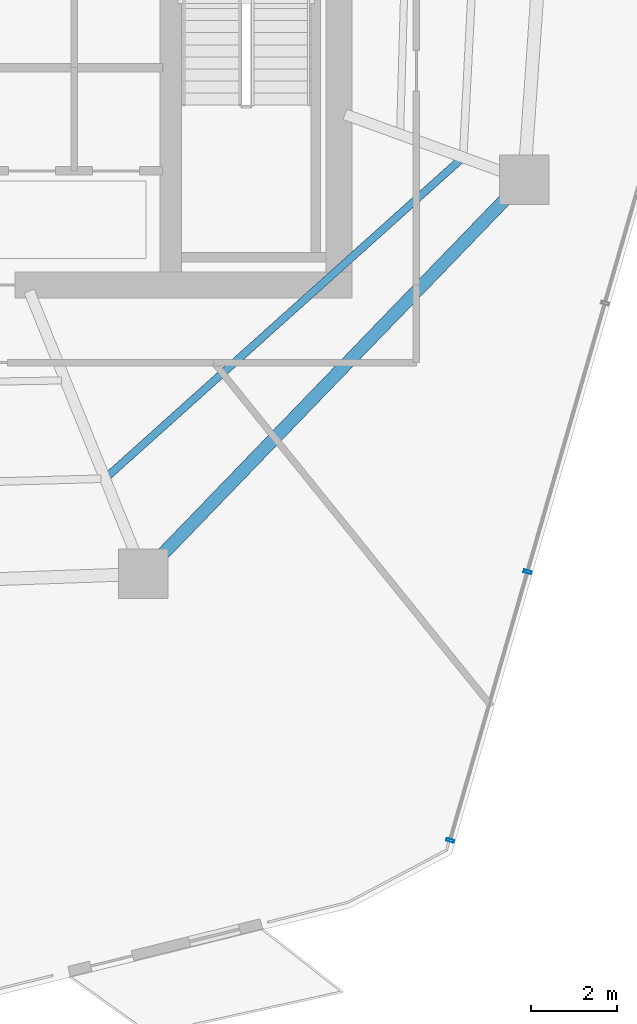
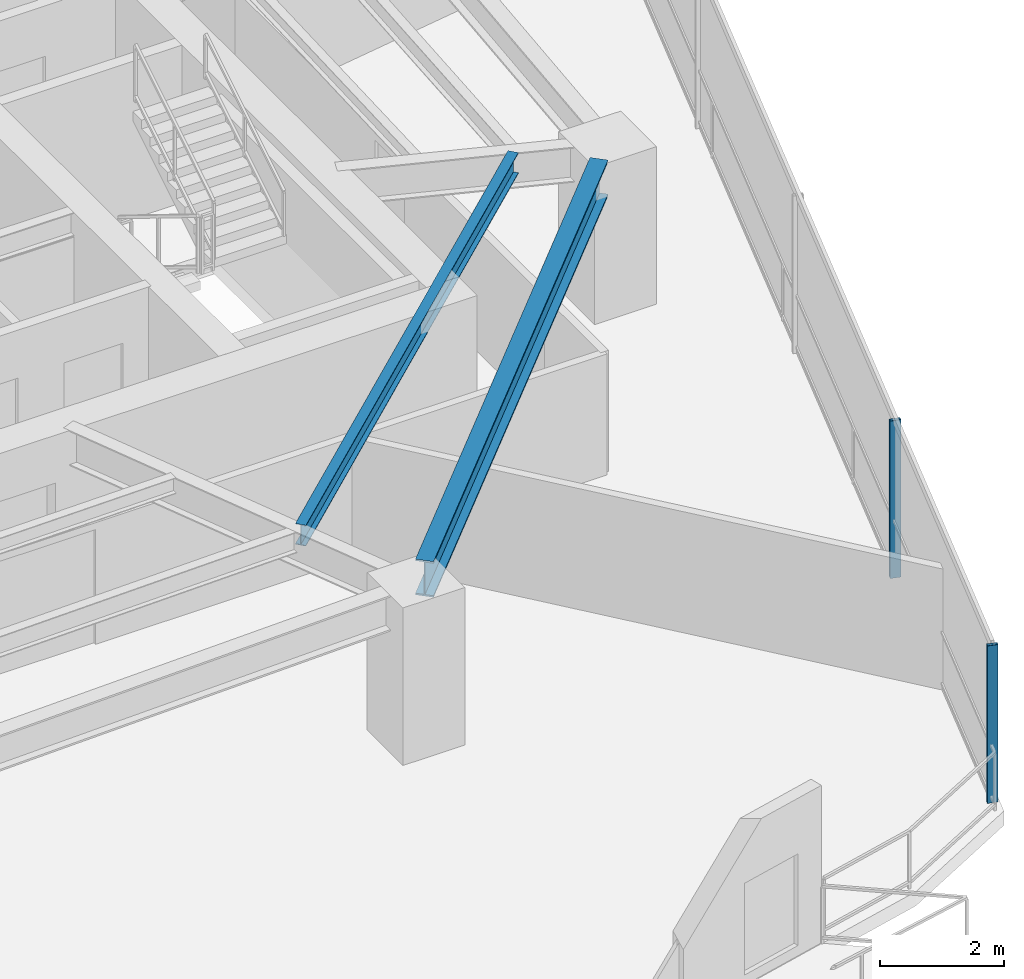
# One storey, part 7 of 23: 2 beams, 2 members, 1 element without a shape of its own.
"""IFC4 building model written with IfcOpenShell, lengths in metres."""

from ifc_helpers import new_model, si_unit, direction, frame, origin, origin_2d, place, context, subcontext, project, spatial, hollow_rectangle, i_section, extrude, material, layer, layer_set, material_profile, profile_set, type_object, element, aggregate, save


model = new_model("IFC4")

# Units and contexts
model_context = context("Model", 3, precision=1e-05, world=origin(), true_north=direction((0.0, 1.0)))
body_context = subcontext(model_context, "Body", "Model", "MODEL_VIEW")
ifc_project = project(units=[si_unit("LENGTHUNIT", "METRE"), si_unit("AREAUNIT", "SQUARE_METRE"), si_unit("VOLUMEUNIT", "CUBIC_METRE"), si_unit("PLANEANGLEUNIT", "RADIAN"), si_unit("MASSUNIT", "GRAM", prefix="KILO")], contexts=[model_context])

# Site, building, storey
site_placement = place(None, origin())
site = spatial("IfcSite", under=ifc_project, at=site_placement, CompositionType="ELEMENT")
building_placement = place(site_placement, origin())
building = spatial("IfcBuilding", under=site, at=building_placement, Name="Qarnah Convention Tower", CompositionType="ELEMENT")
storey_placement = place(building_placement, frame((0.0, 0.0, 117.75)))
storey = spatial("IfcBuildingStorey", under=building, at=storey_placement, Name="L31", CompositionType="ELEMENT", Elevation=117.75)

# Beams
ifc_material_1 = material(Name="Structural steel S355JR", Category="steel")
ifc_material_profile_1 = material_profile(ifc_material_1, i_section(OverallWidth=0.177978515625, OverallDepth=0.407958984375, WebThickness=0.008056640625, FlangeThickness=0.012939453125, at=origin_2d()), Name="W410X60")
ifc_profile_set_1 = profile_set([ifc_material_profile_1], Name="Structural steel S355JR")
beam_type_1 = type_object("IfcBeamType", Name="BM-JST-W410", PredefinedType="JOIST", material=ifc_profile_set_1)
beam_1_placement = place(storey_placement, frame((42.235107421875, 14.1640625, 2.885986328125), z_axis=(0.744411827148, 0.667720773679, 0.0), x_axis=(-0.667720773679, 0.744411827148, 0.0)))
element("IfcBeam", 1, at=beam_1_placement, inside=storey, type_object=beam_type_1, Name="L31 joist BM-L31-SJST-08", PredefinedType="JOIST", context=body_context, shape_type="SweptSolid", body=[
    extrude(i_section(OverallWidth=0.177978515625, OverallDepth=0.407958984375, WebThickness=0.008056640625, FlangeThickness=0.012939453125, at=origin_2d()), origin(), (0.0, 0.0, 1.0), 10.992431640625),
])
ifc_material_profile_2 = material_profile(ifc_material_1, i_section(OverallWidth=0.300048828125, OverallDepth=0.699951171875, WebThickness=0.01708984375, FlangeThickness=0.031982421875, at=origin_2d()), Name="HEB700")
ifc_profile_set_2 = profile_set([ifc_material_profile_2], Name="Structural steel S355JR")
beam_type_2 = type_object("IfcBeamType", Name="BM-RING-HEB700", PredefinedType="BEAM", material=ifc_profile_set_2)
beam_2_placement = place(storey_placement, frame((43.455078125, 12.2958984375, 2.739990234375), z_axis=(0.694656478954, 0.719341626939, 0.0), x_axis=(-0.719341626939, 0.694656478954, 0.0)))
element("IfcBeam", 2, at=beam_2_placement, inside=storey, type_object=beam_type_2, Name="L31 beam BM-L31-SPN-08", PredefinedType="BEAM", context=body_context, shape_type="SweptSolid", body=[
    extrude(i_section(OverallWidth=0.300048828125, OverallDepth=0.699951171875, WebThickness=0.01708984375, FlangeThickness=0.031982421875, at=origin_2d()), origin(), (0.0, 0.0, 1.0), 11.60107421875),
])

# Curtain wall, members
ifc_material_2 = material(Name="Tempered Low-E dark glass", Category="glass")
ifc_layer = layer(ifc_material_2, 0.169921875)
ifc_layer_set = layer_set([ifc_layer], Name="Tempered Low-E dark glass")
curtain_wall_type = type_object("IfcCurtainWallType", Name="CWS-02", PredefinedType="NOTDEFINED", material=ifc_layer_set)
curtain_wall_placement = place(storey_placement, origin())
curtain_wall = element("IfcCurtainWall", 3, at=curtain_wall_placement, inside=storey, type_object=curtain_wall_type, Name="L31 unitised curtain wall CW-L31-F3", PredefinedType="NOTDEFINED")
ifc_material_3 = material(Name="Black anodised aluminium", Category="aluminium")
ifc_material_profile_3 = material_profile(ifc_material_3, hollow_rectangle(XDim=0.06494140625, YDim=0.179931640625, WallThickness=0.00390625, at=origin_2d()), Name="MUL-65X180")
ifc_profile_set_3 = profile_set([ifc_material_profile_3], Name="Black anodised aluminium")
member_type = type_object("IfcMemberType", Name="MUL-T2", PredefinedType="MULLION", material=ifc_profile_set_3)
member_1_placement = place(storey_placement, frame((51.98291015625, 11.939208984375, 0.0), z_axis=(0.0, 0.0, 1.0), x_axis=(-0.276962624896, -0.960880692079, 0.0)))
member_1 = element("IfcMember", 4, at=member_1_placement, type_object=member_type, Name="CW-L31-F3 mullion 5", PredefinedType="MULLION", context=body_context, shape_type="SweptSolid", body=[
    extrude(hollow_rectangle(XDim=0.06494140625, YDim=0.179931640625, WallThickness=0.00390625, at=origin_2d()), origin(), (0.0, 0.0, 1.0), 3.090087890625),
])
member_2_placement = place(storey_placement, frame((50.18505859375, 5.701904296875, 0.0), z_axis=(0.0, 0.0, 1.0), x_axis=(-0.276962624896, -0.960880692079, 0.0)))
member_2 = element("IfcMember", 5, at=member_2_placement, type_object=member_type, Name="CW-L31-F3 mullion 6", PredefinedType="MULLION", context=body_context, shape_type="SweptSolid", body=[
    extrude(hollow_rectangle(XDim=0.06494140625, YDim=0.179931640625, WallThickness=0.00390625, at=origin_2d()), origin(), (0.0, 0.0, 1.0), 3.090087890625),
])
aggregate(curtain_wall, [member_1, member_2])

save(model, "model.ifc")
